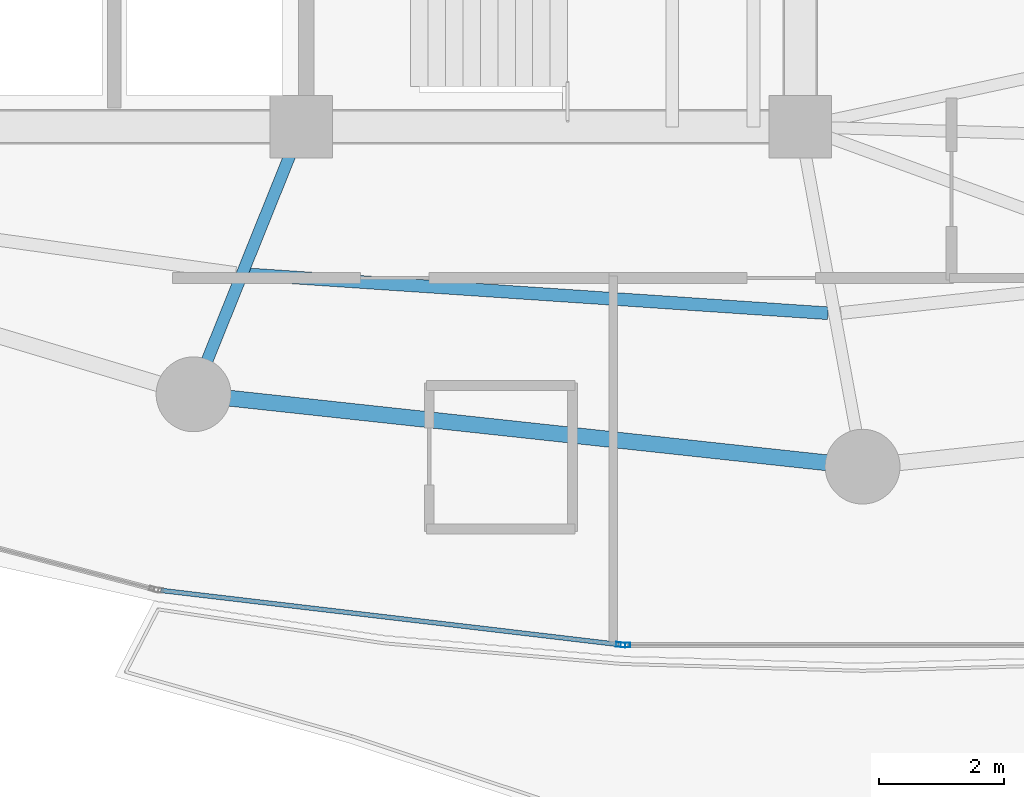
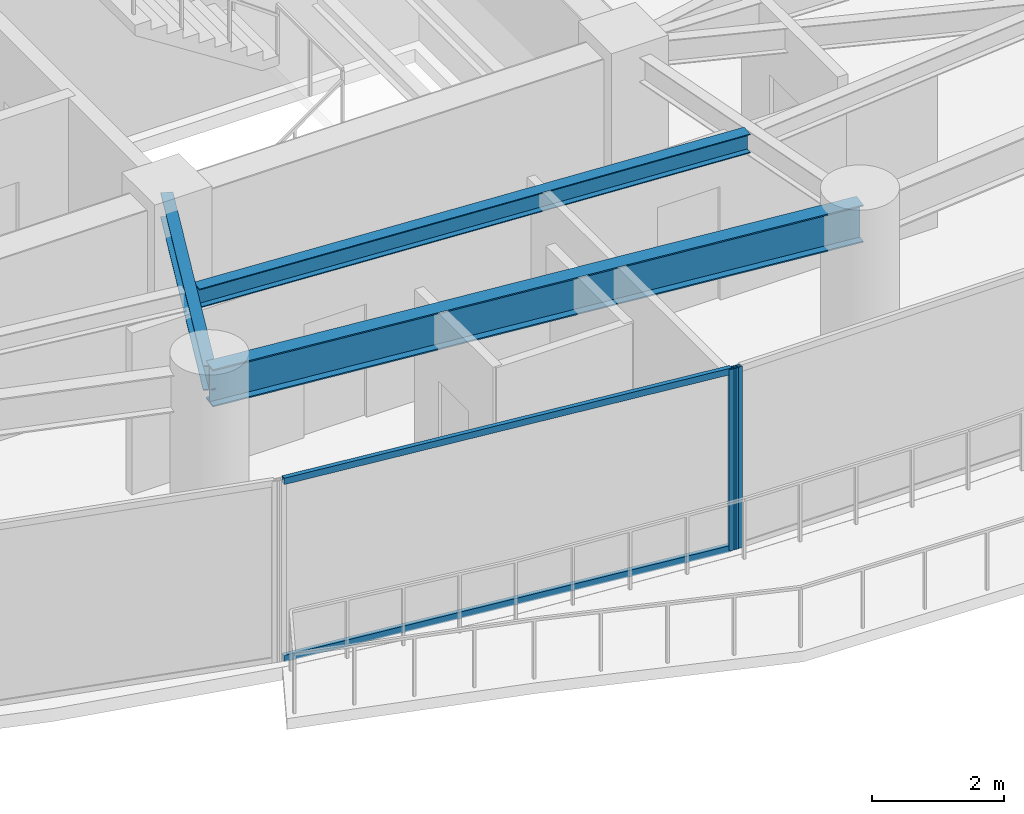
# One storey, part 6 of 34: 4 members, 3 beams, 2 elements without a shape of their own.
"""IFC4 building model written with IfcOpenShell, lengths in metres."""

from ifc_helpers import new_model, si_unit, direction, frame, origin, origin_2d, place, context, subcontext, project, spatial, hollow_rectangle, i_section, extrude, material, layer, layer_set, material_profile, profile_set, type_object, element, aggregate, save


model = new_model("IFC4")

# Units and contexts
model_context = context("Model", 3, precision=1e-05, world=origin(), true_north=direction((0.0, 1.0)))
body_context = subcontext(model_context, "Body", "Model", "MODEL_VIEW")
ifc_project = project(units=[si_unit("LENGTHUNIT", "METRE"), si_unit("AREAUNIT", "SQUARE_METRE"), si_unit("VOLUMEUNIT", "CUBIC_METRE"), si_unit("PLANEANGLEUNIT", "RADIAN"), si_unit("MASSUNIT", "GRAM", prefix="KILO")], contexts=[model_context])

# Site, building, storey
site_placement = place(None, origin())
site = spatial("IfcSite", under=ifc_project, at=site_placement, CompositionType="ELEMENT")
building_placement = place(site_placement, origin())
building = spatial("IfcBuilding", under=site, at=building_placement, Name="Kazevale Care Tower and Concert Hall", CompositionType="ELEMENT")
storey_placement = place(building_placement, frame((0.0, 0.0, 156.60009765625)))
storey = spatial("IfcBuildingStorey", under=building, at=storey_placement, Name="L41", CompositionType="ELEMENT", Elevation=156.60009765625)

# Curtain wall, member
ifc_material_1 = material(Name="Aluminium 6063-T6 and Low-E Glass", Category="aluminium")
ifc_layer = layer(ifc_material_1, 0.179931640625)
ifc_layer_set = layer_set([ifc_layer], Name="Aluminium 6063-T6 and Low-E Glass")
curtain_wall_type = type_object("IfcCurtainWallType", Name="Sheltered Concave Balcony Curtain Wall CW-5", PredefinedType="NOTDEFINED", material=ifc_layer_set)
curtain_wall_1_placement = place(storey_placement, origin())
curtain_wall_1 = element("IfcCurtainWall", 1, at=curtain_wall_1_placement, inside=storey, type_object=curtain_wall_type, Name="cw:L41:f06", PredefinedType="NOTDEFINED")
ifc_material_2 = material(Name="Aluminium 6063-T6", Category="aluminium")
ifc_material_profile_1 = material_profile(ifc_material_2, hollow_rectangle(XDim=0.074951171875, YDim=0.14990234375, WallThickness=0.00390625, at=origin_2d()), Name="ALU75x150x4")
ifc_profile_set_1 = profile_set([ifc_material_profile_1], Name="Aluminium 6063-T6")
member_type_1 = type_object("IfcMemberType", Name="CW-5 Mullion ALU75x150x4", PredefinedType="MULLION", material=ifc_profile_set_1)
member_1_placement = place(storey_placement, frame((41.196533203125, 15.2890625, 0.0), z_axis=(0.0, 0.0, 1.0), x_axis=(0.0, -1.0, 0.0)))
member_1 = element("IfcMember", 2, at=member_1_placement, type_object=member_type_1, Name="CW-5 mullion 2", PredefinedType="MULLION", context=body_context, shape_type="SweptSolid", body=[
    extrude(hollow_rectangle(XDim=0.074951171875, YDim=0.14990234375, WallThickness=0.00390625, at=origin_2d()), origin(), (0.0, 0.0, 1.0), 3.35986328125),
])
aggregate(curtain_wall_1, [member_1])

# Curtain wall, members
curtain_wall_2_placement = place(storey_placement, origin())
curtain_wall_2 = element("IfcCurtainWall", 3, at=curtain_wall_2_placement, inside=storey, type_object=curtain_wall_type, Name="cw:L41:f07", PredefinedType="NOTDEFINED")
member_2_placement = place(storey_placement, frame((41.121826171875, 15.29345703125, 0.0), z_axis=(0.0, 0.0, 1.0), x_axis=(-0.117372179238, -0.993087997884, 0.0)))
member_2 = element("IfcMember", 4, at=member_2_placement, type_object=member_type_1, Name="CW-5 mullion 1", PredefinedType="MULLION", context=body_context, shape_type="SweptSolid", body=[
    extrude(hollow_rectangle(XDim=0.074951171875, YDim=0.14990234375, WallThickness=0.00390625, at=origin_2d()), origin(), (0.0, 0.0, 1.0), 3.35986328125),
])
ifc_material_profile_2 = material_profile(ifc_material_2, hollow_rectangle(XDim=0.074951171875, YDim=0.1201171875, WallThickness=0.00390625, at=origin_2d()), Name="ALU75x120x4")
ifc_profile_set_2 = profile_set([ifc_material_profile_2], Name="Aluminium 6063-T6")
member_type_2 = type_object("IfcMemberType", Name="CW-5 Transom ALU75x120x4", PredefinedType="USERDEFINED", material=ifc_profile_set_2)
member_3_placement = place(storey_placement, frame((41.08447265625, 15.2978515625, 0.037353515625), z_axis=(-0.993087545854, 0.117376003806, 0.0), x_axis=(-0.117376003806, -0.993087545854, 0.0)))
member_3 = element("IfcMember", 5, at=member_3_placement, type_object=member_type_2, Name="CW-5 transom 1.1", ObjectType="TRANSOM", PredefinedType="USERDEFINED", context=body_context, shape_type="SweptSolid", body=[
    extrude(hollow_rectangle(XDim=0.074951171875, YDim=0.1201171875, WallThickness=0.00390625, at=origin_2d()), origin(), (0.0, 0.0, 1.0), 7.39013671875),
])
member_4_placement = place(storey_placement, frame((41.08447265625, 15.2978515625, 3.322509765625), z_axis=(-0.993087545854, 0.117376003806, 0.0), x_axis=(-0.117376003806, -0.993087545854, 0.0)))
member_4 = element("IfcMember", 6, at=member_4_placement, type_object=member_type_2, Name="CW-5 transom 1.2", ObjectType="TRANSOM", PredefinedType="USERDEFINED", context=body_context, shape_type="SweptSolid", body=[
    extrude(hollow_rectangle(XDim=0.074951171875, YDim=0.1201171875, WallThickness=0.00390625, at=origin_2d()), origin(), (0.0, 0.0, 1.0), 7.39013671875),
])
aggregate(curtain_wall_2, [member_2, member_3, member_4])

# Beams
ifc_material_3 = material(Name="Steel ASTM A572 Gr 50", Category="steel")
ifc_material_profile_3 = material_profile(ifc_material_3, i_section(OverallWidth=0.19091796875, OverallDepth=0.4599609375, WebThickness=0.010009765625, FlangeThickness=0.01611328125, at=origin_2d()), Name="W460x82")
ifc_profile_set_3 = profile_set([ifc_material_profile_3], Name="Steel ASTM A572 Gr 50")
beam_type_1 = type_object("IfcBeamType", Name="Radial Floor Beam W460x82", PredefinedType="BEAM", material=ifc_profile_set_3)
beam_1_placement = place(storey_placement, frame((36.0, 23.60009765625, 3.1298828125), z_axis=(-0.373991766452, -0.927432023722, 0.0), x_axis=(0.927432023722, -0.373991766452, 0.0)))
element("IfcBeam", 7, at=beam_1_placement, inside=storey, type_object=beam_type_1, Name="beam:L41:rad:12", PredefinedType="BEAM", context=body_context, shape_type="SweptSolid", body=[
    extrude(i_section(OverallWidth=0.19091796875, OverallDepth=0.4599609375, WebThickness=0.010009765625, FlangeThickness=0.01611328125, at=origin_2d()), origin(), (0.0, 0.0, 1.0), 4.625732421875),
])
ifc_material_profile_4 = material_profile(ifc_material_3, i_section(OverallWidth=0.205078125, OverallDepth=0.35400390625, WebThickness=0.009521484375, FlangeThickness=0.016845703125, at=origin_2d()), Name="W360x79")
ifc_profile_set_4 = profile_set([ifc_material_profile_4], Name="Steel ASTM A572 Gr 50")
beam_type_2 = type_object("IfcBeamType", Name="Secondary Floor Joist W360x79", PredefinedType="JOIST", material=ifc_profile_set_4)
beam_2_placement = place(storey_placement, frame((35.153076171875, 21.23291015625, 3.182861328125), z_axis=(0.997761314569, -0.06687569925, 0.0), x_axis=(0.06687569925, 0.997761314569, 0.0)))
element("IfcBeam", 8, at=beam_2_placement, inside=storey, type_object=beam_type_2, Name="beam:L41:joist:12", PredefinedType="JOIST", context=body_context, shape_type="SweptSolid", body=[
    extrude(i_section(OverallWidth=0.205078125, OverallDepth=0.35400390625, WebThickness=0.009521484375, FlangeThickness=0.016845703125, at=origin_2d()), origin(), (0.0, 0.0, 1.0), 9.312744140625),
])
ifc_material_profile_5 = material_profile(ifc_material_3, i_section(OverallWidth=0.256103515625, OverallDepth=0.693115234375, WebThickness=0.014404296875, FlangeThickness=0.023681640625, at=origin_2d()), Name="W690x170")
ifc_profile_set_5 = profile_set([ifc_material_profile_5], Name="Steel ASTM A572 Gr 50")
beam_type_3 = type_object("IfcBeamType", Name="Waist Ring Beam W690x170", PredefinedType="BEAM", material=ifc_profile_set_5)
beam_3_placement = place(storey_placement, frame((34.27001953125, 19.31005859375, 3.013427734375), z_axis=(0.994205479487, -0.107496346724, 0.0), x_axis=(0.107496346724, 0.994205479487, 0.0)))
element("IfcBeam", 9, at=beam_3_placement, inside=storey, type_object=beam_type_3, Name="beam:L41:ring:12", PredefinedType="BEAM", context=body_context, shape_type="SweptSolid", body=[
    extrude(i_section(OverallWidth=0.256103515625, OverallDepth=0.693115234375, WebThickness=0.014404296875, FlangeThickness=0.023681640625, at=origin_2d()), origin(), (0.0, 0.0, 1.0), 10.79248046875),
])

save(model, "model.ifc")
